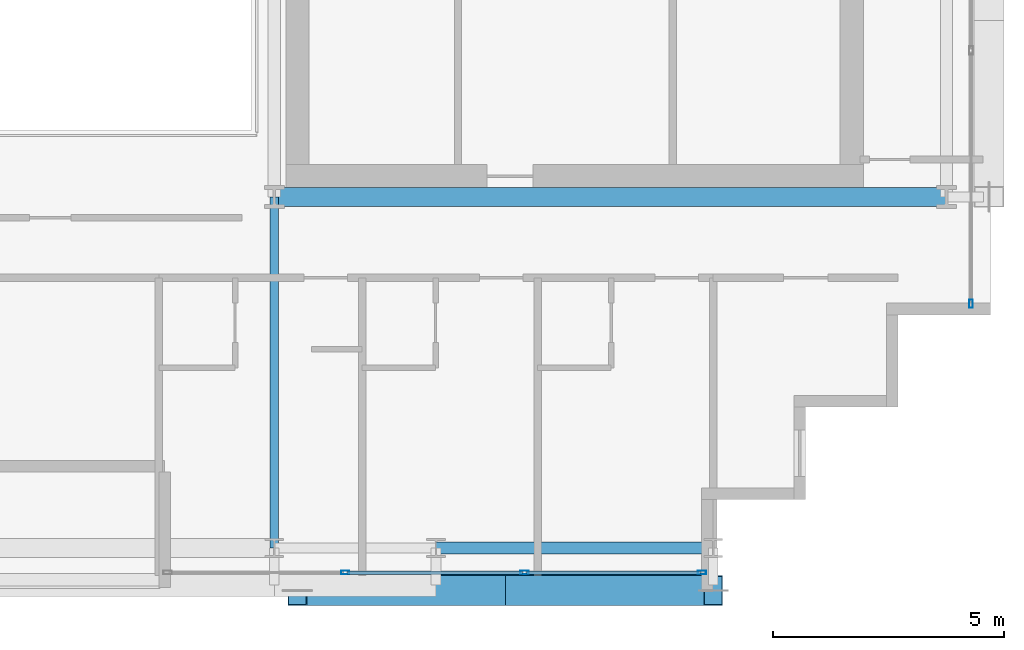
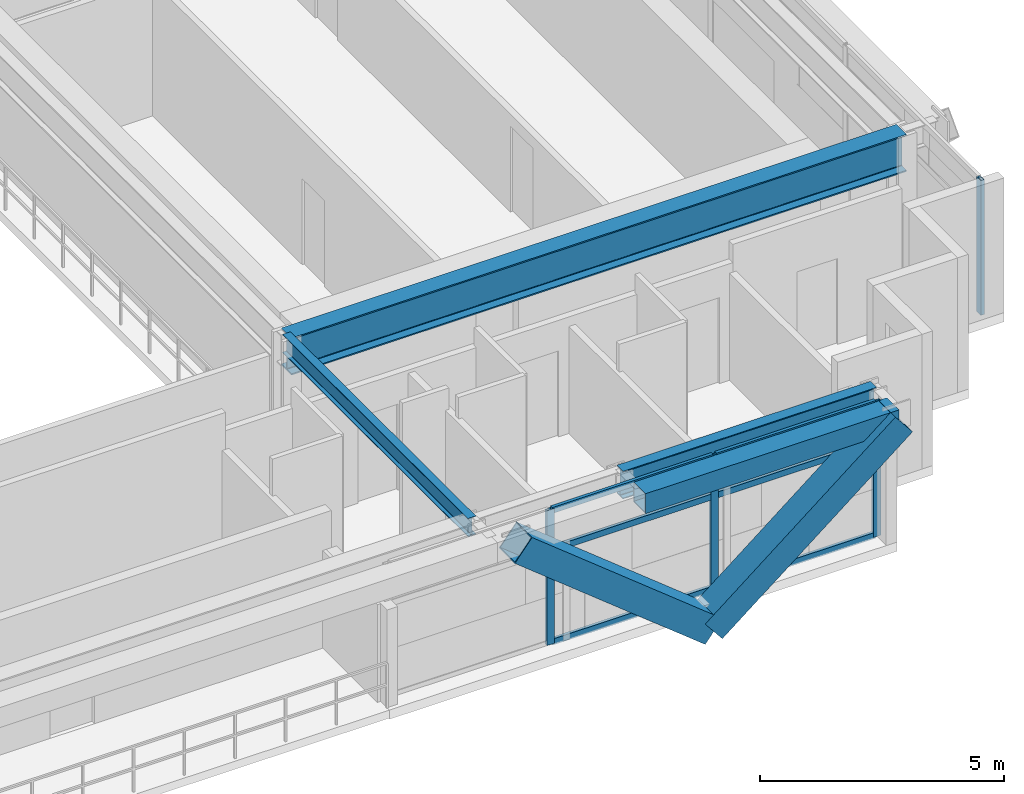
# One storey, part 10 of 32: 12 members, 4 beams, 2 elements without a shape of their own.
"""IFC4 building model written with IfcOpenShell, lengths in metres."""

from ifc_helpers import new_model, si_unit, direction, frame, origin, origin_2d, place, context, subcontext, project, spatial, hollow_rectangle, i_section, extrude, source, transform, mapped, material, layer, layer_set, material_profile, profile_set, type_object, element, aggregate, save


model = new_model("IFC4")

# Units and contexts
model_context = context("Model", 3, precision=1e-05, world=origin(), true_north=direction((0.0, 1.0)))
body_context = subcontext(model_context, "Body", "Model", "MODEL_VIEW")
ifc_project = project(units=[si_unit("LENGTHUNIT", "METRE"), si_unit("AREAUNIT", "SQUARE_METRE"), si_unit("VOLUMEUNIT", "CUBIC_METRE"), si_unit("PLANEANGLEUNIT", "RADIAN"), si_unit("MASSUNIT", "GRAM", prefix="KILO")], contexts=[model_context])

# Site, building, storey
site_placement = place(None, origin())
site = spatial("IfcSite", under=ifc_project, at=site_placement, CompositionType="ELEMENT")
building_placement = place(site_placement, origin())
building = spatial("IfcBuilding", under=site, at=building_placement, Name="Ocotamira Hotel", CompositionType="ELEMENT")
storey_placement = place(building_placement, frame((0.0, 0.0, 206.39990234375)))
storey = spatial("IfcBuildingStorey", under=building, at=storey_placement, Name="L52", CompositionType="ELEMENT", Elevation=206.39990234375)

# Beams
ifc_material_1 = material(Name="Steel ASTM A992 Grade 50", Category="steel")
ifc_material_profile_1 = material_profile(ifc_material_1, i_section(OverallWidth=0.41796875, OverallDepth=0.927001953125, WebThickness=0.019287109375, FlangeThickness=0.031982421875, FilletRadius=0.02392578125, at=origin_2d()), Name="W36X231")
ifc_profile_set_1 = profile_set([ifc_material_profile_1], Name="Steel ASTM A992 Grade 50")
beam_type_1 = type_object("IfcBeamType", Name="BM-GIRD-W36X231", PredefinedType="BEAM", material=ifc_profile_set_1)
shared_shape_1 = source(origin(), body_context, "Body", "SweptSolid", [
    extrude(i_section(OverallWidth=0.41796875, OverallDepth=0.927001953125, WebThickness=0.019287109375, FlangeThickness=0.031982421875, FilletRadius=0.02392578125, at=origin_2d()), origin(), (0.0, 0.0, 1.0), 14.550048828125),
])
beam_1_placement = place(storey_placement, frame((40.5, 14.550048828125, 2.906494140625), z_axis=(1.0, 0.0, 0.0), x_axis=(0.0, 1.0, 0.0)))
element("IfcBeam", 1, at=beam_1_placement, inside=storey, type_object=beam_type_1, Name="L52 Girder Y14.55 X40.5-55.05", PredefinedType="BEAM", context=body_context, shape_type="MappedRepresentation", body=[
    mapped(shared_shape_1, transform((0.0, 0.0, 0.0), scale=1.0)),
])
ifc_material_profile_2 = material_profile(ifc_material_1, i_section(OverallWidth=0.256103515625, OverallDepth=0.693115234375, WebThickness=0.014404296875, FlangeThickness=0.023681640625, FilletRadius=0.01611328125, at=origin_2d()), Name="W27X114")
ifc_profile_set_2 = profile_set([ifc_material_profile_2], Name="Steel ASTM A992 Grade 50")
beam_type_2 = type_object("IfcBeamType", Name="BM-PRIM-W27X114", PredefinedType="BEAM", material=ifc_profile_set_2)
shared_shape_2 = source(origin(), body_context, "Body", "SweptSolid", [
    extrude(i_section(OverallWidth=0.256103515625, OverallDepth=0.693115234375, WebThickness=0.014404296875, FlangeThickness=0.023681640625, FilletRadius=0.01611328125, at=origin_2d()), origin(), (0.0, 0.0, 1.0), 6.0),
])
beam_2_placement = place(storey_placement, frame((44.0, 6.949951171875, 3.023681640625), z_axis=(1.0, 0.0, 0.0), x_axis=(0.0, 1.0, 0.0)))
element("IfcBeam", 2, at=beam_2_placement, inside=storey, type_object=beam_type_2, Name="L52 Girder Y6.95 X44-50", PredefinedType="BEAM", context=body_context, shape_type="MappedRepresentation", body=[
    mapped(shared_shape_2, transform((0.0, 0.0, 0.0), scale=1.0)),
])
ifc_material_2 = material(Name="Steel ASTM A500 Grade C", Category="steel")
ifc_material_profile_3 = material_profile(ifc_material_2, hollow_rectangle(XDim=0.5, YDim=0.5, WallThickness=0.02001953125, at=origin_2d()), Name="HSS500X500X20")
ifc_profile_set_3 = profile_set([ifc_material_profile_3], Name="Steel ASTM A500 Grade C")
beam_type_3 = type_object("IfcBeamType", Name="BM-SPAN-HSS500", PredefinedType="USERDEFINED", material=ifc_profile_set_3)
shared_shape_3 = source(origin(), body_context, "Body", "SweptSolid", [
    extrude(hollow_rectangle(XDim=0.5, YDim=0.5, WallThickness=0.02001953125, at=origin_2d()), origin(), (0.0, 0.0, 1.0), 6.0),
])
beam_3_placement = place(storey_placement, frame((44.0, 6.14990234375, 3.1201171875), z_axis=(1.0, 0.0, 0.0), x_axis=(0.0, 1.0, 0.0)))
element("IfcBeam", 3, at=beam_3_placement, inside=storey, type_object=beam_type_3, Name="L52 Edge Spandrel S X44-50", ObjectType="SPANDREL", PredefinedType="USERDEFINED", context=body_context, shape_type="MappedRepresentation", body=[
    mapped(shared_shape_3, transform((0.0, 0.0, 0.0), scale=1.0)),
])
ifc_material_profile_4 = material_profile(ifc_material_1, i_section(OverallWidth=0.18994140625, OverallDepth=0.45703125, WebThickness=0.009033203125, FlangeThickness=0.014404296875, FilletRadius=0.010009765625, at=origin_2d()), Name="W18X50")
ifc_profile_set_4 = profile_set([ifc_material_profile_4], Name="Steel ASTM A992 Grade 50")
beam_type_4 = type_object("IfcBeamType", Name="BM-SEC-W18X50", PredefinedType="JOIST", material=ifc_profile_set_4)
shared_shape_4 = source(origin(), body_context, "Body", "SweptSolid", [
    extrude(i_section(OverallWidth=0.18994140625, OverallDepth=0.45703125, WebThickness=0.009033203125, FlangeThickness=0.014404296875, FilletRadius=0.010009765625, at=origin_2d()), origin(), (0.0, 0.0, 1.0), 7.60009765625),
])
beam_4_placement = place(storey_placement, frame((40.5, 6.949951171875, 3.1416015625), z_axis=(0.0, 1.0, 0.0), x_axis=(-1.0, 0.0, 0.0)))
element("IfcBeam", 4, at=beam_4_placement, inside=storey, type_object=beam_type_4, Name="L52 Beam X40.5 Y6.95-14.55", PredefinedType="JOIST", context=body_context, shape_type="MappedRepresentation", body=[
    mapped(shared_shape_4, transform((0.0, 0.0, 0.0), scale=1.0)),
])

# Members
ifc_material_3 = material(Name="Pale-metal coated steel ASTM A913 Grade 65", Category="steel")
ifc_material_profile_5 = material_profile(ifc_material_3, hollow_rectangle(XDim=0.64990234375, YDim=0.64990234375, WallThickness=0.02197265625, at=origin_2d()), Name="BOX650X650X22")
ifc_profile_set_5 = profile_set([ifc_material_profile_5], Name="Pale-metal coated steel ASTM A913 Grade 65")
member_type_1 = type_object("IfcMemberType", Name="MEM-EXO-BOX650", PredefinedType="BRACE", material=ifc_profile_set_5)
shared_shape_5 = source(origin(), body_context, "Body", "SweptSolid", [
    extrude(hollow_rectangle(XDim=0.64990234375, YDim=0.64990234375, WallThickness=0.02197265625, at=origin_2d()), origin(), (0.0, 0.0, 1.0), 5.762939453125),
])
for number, where, z_axis, x_axis, name in (
    (5, (45.5, 6.030029296875, -0.47998046875), (-0.780860543151, 0.0, 0.624705380279), (0.0, -1.0, 0.0), "L52 Exoskeleton Diagrid S3.1"),
    (6, (45.5, 6.030029296875, -0.47998046875), (0.780860543151, 0.0, 0.624705380279), (0.0, 1.0, 0.0), "L52 Exoskeleton Diagrid S3.2"),
):
    element("IfcMember", number, at=place(storey_placement, frame(where, z_axis=z_axis, x_axis=x_axis)), inside=storey, type_object=member_type_1, Name=name, PredefinedType="BRACE", context=body_context, shape_type="MappedRepresentation", body=[
        mapped(shared_shape_5, transform((0.0, 0.0, 0.0), scale=1.0)),
    ])

# Curtain wall, members
ifc_material_4 = material(Name="Anodised pale-metal aluminium and solar glass", Category="aluminium")
ifc_layer = layer(ifc_material_4, 0.199951171875)
ifc_layer_set = layer_set([ifc_layer], Name="Anodised pale-metal aluminium and solar glass")
curtain_wall_type = type_object("IfcCurtainWallType", Name="CW-SYS4-Z3", PredefinedType="NOTDEFINED", material=ifc_layer_set)
curtain_wall_1_placement = place(storey_placement, origin())
curtain_wall_1 = element("IfcCurtainWall", 7, at=curtain_wall_1_placement, inside=storey, type_object=curtain_wall_type, Name="L52 Curtain Wall CW-4 CW-L52-S2", PredefinedType="NOTDEFINED")
ifc_material_5 = material(Name="Anodised pale-metal aluminium 6063-T6", Category="aluminium")
ifc_material_profile_6 = material_profile(ifc_material_5, hollow_rectangle(XDim=0.080078125, YDim=0.179931640625, WallThickness=0.006103515625, at=origin_2d()), Name="HSS180X80X6")
ifc_profile_set_6 = profile_set([ifc_material_profile_6], Name="Anodised pale-metal aluminium 6063-T6")
member_type_2 = type_object("IfcMemberType", Name="CWM-180X75", PredefinedType="MULLION", material=ifc_profile_set_6)
shared_shape_6 = source(origin(), body_context, "Body", "SweptSolid", [
    extrude(hollow_rectangle(XDim=0.080078125, YDim=0.179931640625, WallThickness=0.006103515625, at=origin_2d()), origin(), (0.0, 0.0, 1.0), 3.3701171875),
])
member_1_placement = place(storey_placement, frame((42.033447265625, 6.419921875, 0.0), z_axis=(0.0, 0.0, 1.0), x_axis=(0.0, 1.0, 0.0)))
member_1 = element("IfcMember", 8, at=member_1_placement, type_object=member_type_2, Name="CW-4 mullion 2", PredefinedType="MULLION", context=body_context, shape_type="MappedRepresentation", body=[
    mapped(shared_shape_6, transform((0.0, 0.0, 0.0), scale=1.0)),
])
member_2_placement = place(storey_placement, frame((45.916748046875, 6.419921875, 0.0), z_axis=(0.0, 0.0, 1.0), x_axis=(0.0, 1.0, 0.0)))
member_2 = element("IfcMember", 9, at=member_2_placement, type_object=member_type_2, Name="CW-4 mullion 3", PredefinedType="MULLION", context=body_context, shape_type="MappedRepresentation", body=[
    mapped(shared_shape_6, transform((0.0, 0.0, 0.0), scale=1.0)),
])
member_3_placement = place(storey_placement, frame((49.760009765625, 6.419921875, 0.0), z_axis=(0.0, 0.0, 1.0), x_axis=(0.0, 1.0, 0.0)))
member_3 = element("IfcMember", 10, at=member_3_placement, type_object=member_type_2, Name="CW-4 mullion 4", PredefinedType="MULLION", context=body_context, shape_type="MappedRepresentation", body=[
    mapped(shared_shape_6, transform((0.0, 0.0, 0.0), scale=1.0)),
])

# Curtain wall, member
curtain_wall_2_placement = place(storey_placement, origin())
curtain_wall_2 = element("IfcCurtainWall", 11, at=curtain_wall_2_placement, inside=storey, type_object=curtain_wall_type, Name="L52 Curtain Wall CW-4 CW-L52-E", PredefinedType="NOTDEFINED")
member_4_placement = place(storey_placement, frame((55.580078125, 12.239990234375, 0.0), z_axis=(0.0, 0.0, 1.0), x_axis=(-1.0, 0.0, 0.0)))
member_4 = element("IfcMember", 12, at=member_4_placement, type_object=member_type_2, Name="CW-4 mullion 1", PredefinedType="MULLION", context=body_context, shape_type="MappedRepresentation", body=[
    mapped(shared_shape_6, transform((0.0, 0.0, 0.0), scale=1.0)),
])
aggregate(curtain_wall_2, [member_4])

# Member
ifc_material_profile_7 = material_profile(ifc_material_5, hollow_rectangle(XDim=0.074951171875, YDim=0.14990234375, WallThickness=0.006103515625, at=origin_2d()), Name="HSS150X75X6")
ifc_profile_set_7 = profile_set([ifc_material_profile_7], Name="Anodised pale-metal aluminium 6063-T6")
member_type_3 = type_object("IfcMemberType", Name="CWT-150X75", PredefinedType="USERDEFINED", material=ifc_profile_set_7)
shared_shape_7 = source(origin(), body_context, "Body", "SweptSolid", [
    extrude(hollow_rectangle(XDim=0.074951171875, YDim=0.14990234375, WallThickness=0.006103515625, at=origin_2d()), origin(), (0.0, 0.0, 1.0), 3.76318359375),
])
member_5_placement = place(storey_placement, frame((45.956787109375, 6.419921875, 0.03759765625), z_axis=(1.0, 0.0, 0.0), x_axis=(0.0, 1.0, 0.0)))
member_5 = element("IfcMember", 13, at=member_5_placement, type_object=member_type_3, Name="CW-4 transom 3.1", ObjectType="TRANSOM", PredefinedType="USERDEFINED", context=body_context, shape_type="MappedRepresentation", body=[
    mapped(shared_shape_7, transform((0.0, 0.0, 0.0), scale=1.0)),
])

member_6_placement = place(storey_placement, frame((45.956787109375, 6.419921875, 2.35009765625), z_axis=(1.0, 0.0, 0.0), x_axis=(0.0, 1.0, 0.0)))
member_6 = element("IfcMember", 14, at=member_6_placement, type_object=member_type_3, Name="CW-4 transom 3.2", ObjectType="TRANSOM", PredefinedType="USERDEFINED", context=body_context, shape_type="MappedRepresentation", body=[
    mapped(shared_shape_7, transform((0.0, 0.0, 0.0), scale=1.0)),
])

member_7_placement = place(storey_placement, frame((45.956787109375, 6.419921875, 3.33251953125), z_axis=(1.0, 0.0, 0.0), x_axis=(0.0, 1.0, 0.0)))
member_7 = element("IfcMember", 15, at=member_7_placement, type_object=member_type_3, Name="CW-4 transom 3.3", ObjectType="TRANSOM", PredefinedType="USERDEFINED", context=body_context, shape_type="MappedRepresentation", body=[
    mapped(shared_shape_7, transform((0.0, 0.0, 0.0), scale=1.0)),
])

shared_shape_8 = source(origin(), body_context, "Body", "SweptSolid", [
    extrude(hollow_rectangle(XDim=0.074951171875, YDim=0.14990234375, WallThickness=0.006103515625, at=origin_2d()), origin(), (0.0, 0.0, 1.0), 3.803466796875),
])
member_8_placement = place(storey_placement, frame((42.0732421875, 6.419921875, 0.03759765625), z_axis=(1.0, 0.0, 0.0), x_axis=(0.0, 1.0, 0.0)))
member_8 = element("IfcMember", 16, at=member_8_placement, type_object=member_type_3, Name="CW-4 transom 2.1", ObjectType="TRANSOM", PredefinedType="USERDEFINED", context=body_context, shape_type="MappedRepresentation", body=[
    mapped(shared_shape_8, transform((0.0, 0.0, 0.0), scale=1.0)),
])

member_9_placement = place(storey_placement, frame((42.0732421875, 6.419921875, 2.35009765625), z_axis=(1.0, 0.0, 0.0), x_axis=(0.0, 1.0, 0.0)))
member_9 = element("IfcMember", 17, at=member_9_placement, type_object=member_type_3, Name="CW-4 transom 2.2", ObjectType="TRANSOM", PredefinedType="USERDEFINED", context=body_context, shape_type="MappedRepresentation", body=[
    mapped(shared_shape_8, transform((0.0, 0.0, 0.0), scale=1.0)),
])

member_10_placement = place(storey_placement, frame((42.0732421875, 6.419921875, 3.33251953125), z_axis=(1.0, 0.0, 0.0), x_axis=(0.0, 1.0, 0.0)))
member_10 = element("IfcMember", 18, at=member_10_placement, type_object=member_type_3, Name="CW-4 transom 2.3", ObjectType="TRANSOM", PredefinedType="USERDEFINED", context=body_context, shape_type="MappedRepresentation", body=[
    mapped(shared_shape_8, transform((0.0, 0.0, 0.0), scale=1.0)),
])

aggregate(curtain_wall_1, [member_1, member_2, member_3, member_8, member_9, member_10, member_5, member_6, member_7])

save(model, "model.ifc")
